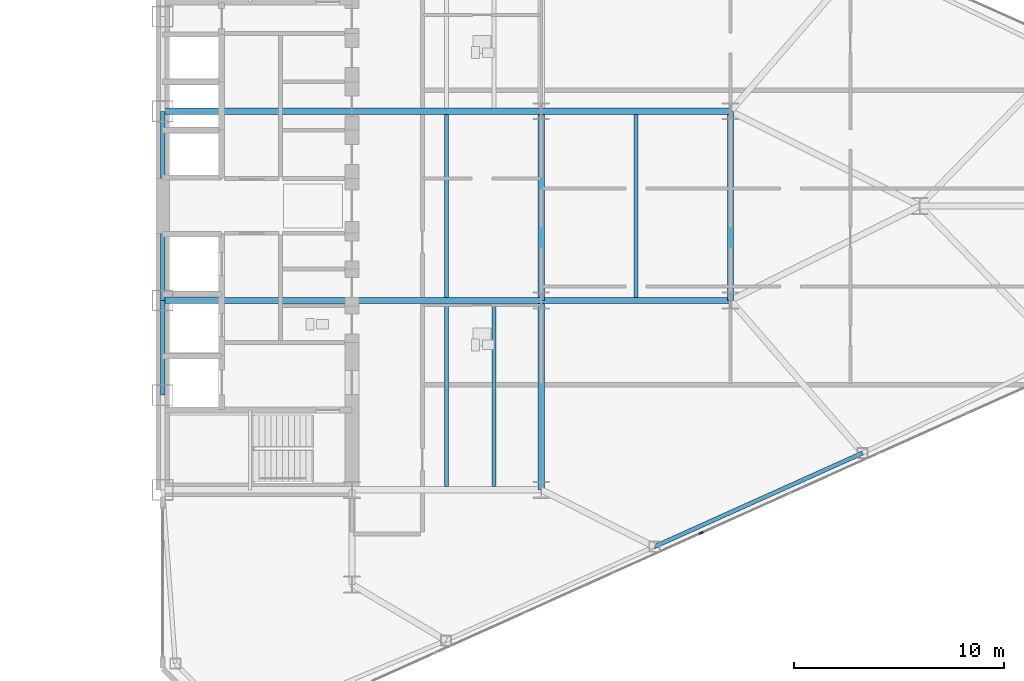
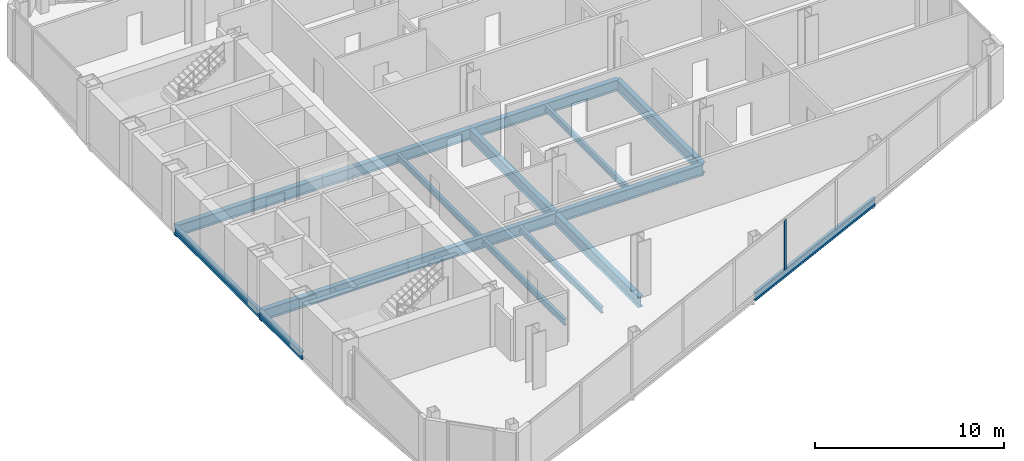
# One storey, part 12 of 27: 16 beams, 1 member, 1 element without a shape of its own.
"""IFC4 building model written with IfcOpenShell, lengths in metres."""

from ifc_helpers import new_model, si_unit, direction, frame, origin, origin_2d, place, context, subcontext, project, spatial, rectangle, i_section, extrude, source, transform, mapped, material, layer, layer_set, material_profile, profile_set, type_object, type_shapes, element, aggregate, save


model = new_model("IFC4")

# Units and contexts
model_context = context("Model", 3, precision=1e-05, world=origin(), true_north=direction((0.0, 1.0)))
body_context = subcontext(model_context, "Body", "Model", "MODEL_VIEW")
ifc_project = project(units=[si_unit("LENGTHUNIT", "METRE"), si_unit("AREAUNIT", "SQUARE_METRE"), si_unit("VOLUMEUNIT", "CUBIC_METRE"), si_unit("PLANEANGLEUNIT", "RADIAN"), si_unit("MASSUNIT", "GRAM", prefix="KILO")], contexts=[model_context])

# Site, building, storey
site_placement = place(None, origin())
site = spatial("IfcSite", under=ifc_project, at=site_placement, CompositionType="ELEMENT")
building_placement = place(site_placement, origin())
building = spatial("IfcBuilding", under=site, at=building_placement, Name="Seokmaru Belvedere", CompositionType="ELEMENT")
storey_placement = place(building_placement, frame((0.0, 0.0, 76.5)))
storey = spatial("IfcBuildingStorey", under=building, at=storey_placement, Name="L20", CompositionType="ELEMENT", Elevation=76.5)

# Beams
ifc_material_1 = material(Name="Steel SM355 (355 MPa)", Category="steel")
ifc_material_profile_1 = material_profile(ifc_material_1, i_section(OverallWidth=0.199951171875, OverallDepth=0.5, WebThickness=0.010009765625, FlangeThickness=0.01611328125, at=origin_2d()), Name="H-500x200x10x16")
ifc_profile_set_1 = profile_set([ifc_material_profile_1], Name="Steel SM355 (355 MPa)")
beam_type_1 = type_object("IfcBeamType", Name="Perimeter Spandrel Beam H-500", PredefinedType="SPANDREL", material=ifc_profile_set_1)
shared_shape_1 = source(origin(), body_context, "Body", "SweptSolid", [
    extrude(i_section(OverallWidth=0.199951171875, OverallDepth=0.5, WebThickness=0.010009765625, FlangeThickness=0.01611328125, at=origin_2d()), origin(), (0.0, 0.0, 1.0), 4.5),
])
beam_1_placement = place(storey_placement, frame((27.5, -9.0, -0.469970703125), z_axis=(0.0, 1.0, 0.0), x_axis=(-1.0, 0.0, 0.0)))
element("IfcBeam", 1, at=beam_1_placement, inside=storey, type_object=beam_type_1, Name="L20 E Portal Spine Spandrel 2", PredefinedType="SPANDREL", context=body_context, shape_type="MappedRepresentation", body=[
    mapped(shared_shape_1, transform((0.0, 0.0, 0.0), scale=1.0)),
])
shared_shape_2 = source(origin(), body_context, "Body", "SweptSolid", [
    extrude(i_section(OverallWidth=0.199951171875, OverallDepth=0.5, WebThickness=0.010009765625, FlangeThickness=0.01611328125, at=origin_2d()), origin(), (0.0, 0.0, 1.0), 9.0),
])
beam_2_placement = place(storey_placement, frame((27.5, -4.5, -0.469970703125), z_axis=(0.0, 1.0, 0.0), x_axis=(-1.0, 0.0, 0.0)))
element("IfcBeam", 2, at=beam_2_placement, inside=storey, type_object=beam_type_1, Name="L20 E Portal Spine Spandrel 3", PredefinedType="SPANDREL", context=body_context, shape_type="MappedRepresentation", body=[
    mapped(shared_shape_2, transform((0.0, 0.0, 0.0), scale=1.0)),
])
ifc_material_profile_2 = material_profile(ifc_material_1, i_section(OverallWidth=0.300048828125, OverallDepth=0.699951171875, WebThickness=0.012939453125, FlangeThickness=0.02392578125, at=origin_2d()), Name="H-700x300x13x24")
ifc_profile_set_2 = profile_set([ifc_material_profile_2], Name="Steel SM355 (355 MPa)")
beam_type_2 = type_object("IfcBeamType", Name="Primary Floor Girder H-700", PredefinedType="BEAM", material=ifc_profile_set_2)
shared_shape_3 = source(origin(), body_context, "Body", "SweptSolid", [
    extrude(i_section(OverallWidth=0.300048828125, OverallDepth=0.699951171875, WebThickness=0.012939453125, FlangeThickness=0.02392578125, at=origin_2d()), origin(), (0.0, 0.0, 1.0), 9.0),
])
type_shapes(beam_type_2, [shared_shape_3])
for number, where, z_axis, x_axis, name in (
    (3, (45.5, -13.5, -0.570068359375), (0.0, 1.0, 0.0), (-1.0, 0.0, 0.0), "L20 E Interior Grid Girder 1"),
    (4, (45.5, -4.5, -0.570068359375), (0.0, 1.0, 0.0), (-1.0, 0.0, 0.0), "L20 E Interior Grid Girder 2"),
    (5, (27.5, -4.5, -0.570068359375), (1.0, 0.0, 0.0), (0.0, 1.0, 0.0), "L20 E Core Tie Girder 2"),
    (6, (36.5, -4.5, -0.570068359375), (1.0, 0.0, 0.0), (0.0, 1.0, 0.0), "L20 E Wing Primary Girder 2"),
    (7, (27.5, 4.5, -0.570068359375), (1.0, 0.0, 0.0), (0.0, 1.0, 0.0), "L20 E Core Tie Girder 3"),
    (8, (36.5, 4.5, -0.570068359375), (1.0, 0.0, 0.0), (0.0, 1.0, 0.0), "L20 E Wing Primary Girder 3"),
    (9, (45.5, -4.5, -0.570068359375), (1.0, 0.0, 0.0), (0.0, 1.0, 0.0), "L20 E Outer Wing Girder 1"),
    (10, (45.5, 4.5, -0.570068359375), (1.0, 0.0, 0.0), (0.0, 1.0, 0.0), "L20 E Outer Wing Girder 2"),
    (11, (54.5, -4.5, -0.570068359375), (0.0, 1.0, 0.0), (-1.0, 0.0, 0.0), "L20 E Apex Frame Girder"),
):
    element("IfcBeam", number, at=place(storey_placement, frame(where, z_axis=z_axis, x_axis=x_axis)), inside=storey, type_object=beam_type_2, Name=name, PredefinedType="BEAM", context=body_context, shape_type="MappedRepresentation", body=[
        mapped(shared_shape_3, transform((0.0, 0.0, 0.0), scale=1.0)),
    ])
ifc_material_profile_3 = material_profile(ifc_material_1, i_section(OverallWidth=0.18505859375, OverallDepth=0.389892578125, WebThickness=0.008056640625, FlangeThickness=0.011962890625, at=origin_2d()), Name="H-390x185x8x12")
ifc_profile_set_3 = profile_set([ifc_material_profile_3], Name="Steel SM355 (355 MPa)")
beam_type_3 = type_object("IfcBeamType", Name="Secondary Floor Joist H-350", PredefinedType="JOIST", material=ifc_profile_set_3)
shared_shape_4 = source(origin(), body_context, "Body", "SweptSolid", [
    extrude(i_section(OverallWidth=0.18505859375, OverallDepth=0.389892578125, WebThickness=0.008056640625, FlangeThickness=0.011962890625, at=origin_2d()), origin(), (0.0, 0.0, 1.0), 8.68994140625),
])
type_shapes(beam_type_3, [shared_shape_4])
for number, where, z_axis, x_axis, name in (
    (12, (43.25, -13.344970703125, -0.4150390625), (0.0, 1.0, 0.0), (-1.0, 0.0, 0.0), "L20 E Wing Inner Secondary Joist 1"),
    (13, (41.0, -13.344970703125, -0.4150390625), (0.0, 1.0, 0.0), (-1.0, 0.0, 0.0), "L20 E Secondary Floor Joist 1"),
    (14, (41.0, -4.344970703125, -0.4150390625), (0.0, 1.0, 0.0), (-1.0, 0.0, 0.0), "L20 E Secondary Floor Joist 2"),
    (15, (50.0, -4.344970703125, -0.4150390625), (0.0, 1.0, 0.0), (-1.0, 0.0, 0.0), "L20 E Outer Bay Secondary Joist"),
):
    element("IfcBeam", number, at=place(storey_placement, frame(where, z_axis=z_axis, x_axis=x_axis)), inside=storey, type_object=beam_type_3, Name=name, PredefinedType="JOIST", context=body_context, shape_type="MappedRepresentation", body=[
        mapped(shared_shape_4, transform((0.0, 0.0, 0.0), scale=1.0)),
    ])
shared_shape_5 = source(origin(), body_context, "Body", "SweptSolid", [
    extrude(i_section(OverallWidth=0.199951171875, OverallDepth=0.5, WebThickness=0.010009765625, FlangeThickness=0.01611328125, at=origin_2d()), origin(), (0.0, 0.0, 1.0), 10.85888671875),
])
type_shapes(beam_type_1, [shared_shape_1, shared_shape_2, shared_shape_5])
beam_3_placement = place(storey_placement, frame((50.875, -16.205322265625, -0.469970703125), z_axis=(0.911925291223, 0.410356263785, 0.0), x_axis=(-0.410356263785, 0.911925291223, 0.0)))
element("IfcBeam", 16, at=beam_3_placement, inside=storey, type_object=beam_type_1, Name="L20 E Faceted Flank Spandrel S-3", PredefinedType="SPANDREL", context=body_context, shape_type="MappedRepresentation", body=[
    mapped(shared_shape_5, transform((0.0, 0.0, 0.0), scale=1.0)),
])

# Curtain wall, member
ifc_material_2 = material(Name="Bronze Triple Insulating Glass", Category="glass")
ifc_layer = layer(ifc_material_2, 0.195068359375)
ifc_layer_set = layer_set([ifc_layer], Name="Bronze Triple Insulating Glass")
curtain_wall_type = type_object("IfcCurtainWallType", Name="Lower-Mid Tapered Curtain Wall System CW-3", PredefinedType="NOTDEFINED", material=ifc_layer_set)
curtain_wall_placement = place(storey_placement, origin())
curtain_wall = element("IfcCurtainWall", 17, at=curtain_wall_placement, inside=storey, type_object=curtain_wall_type, Name="L20 Curtain Wall EF1", PredefinedType="NOTDEFINED")
ifc_material_3 = material(Name="Anodised Bronze Aluminium", Category="aluminium")
ifc_material_profile_4 = material_profile(ifc_material_3, rectangle(XDim=0.070068359375, YDim=0.195068359375, at=origin_2d()), Name="CW-M-70x195")
ifc_profile_set_4 = profile_set([ifc_material_profile_4], Name="Anodised Bronze Aluminium")
member_type = type_object("IfcMemberType", Name="Bronze Unitised Mullion 70x195", PredefinedType="MULLION", material=ifc_profile_set_4)
shared_shape_6 = source(origin(), body_context, "Body", "SweptSolid", [
    extrude(rectangle(XDim=0.070068359375, YDim=0.195068359375, at=origin_2d()), origin(), (0.0, 0.0, 1.0), 3.239990234375),
])
type_shapes(member_type, [shared_shape_6])
member_placement = place(storey_placement, frame((53.105712890625, -15.552490234375, 0.070068359375), z_axis=(0.0, 0.0, 1.0), x_axis=(-0.41036554765, 0.91192111353, 0.0)))
member = element("IfcMember", 18, at=member_placement, type_object=member_type, Name="CW:L20:EF1 Mullion 6", PredefinedType="MULLION", context=body_context, shape_type="MappedRepresentation", body=[
    mapped(shared_shape_6, transform((0.0, 0.0, 0.0), scale=1.0)),
])
aggregate(curtain_wall, [member])

save(model, "model.ifc")
